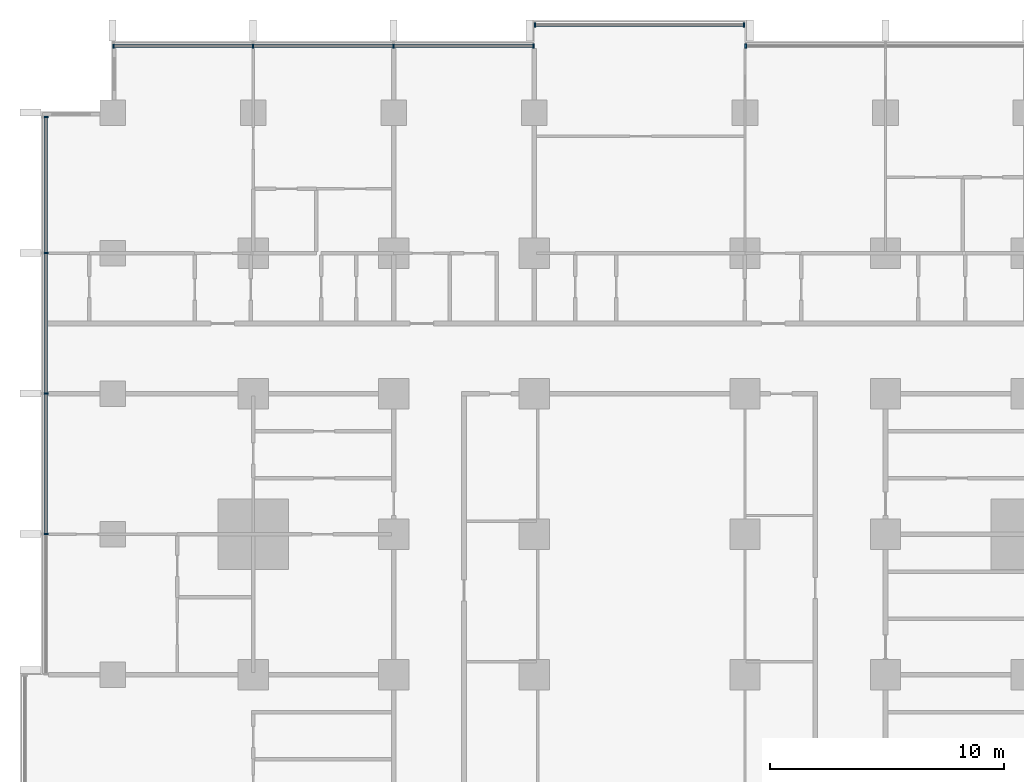
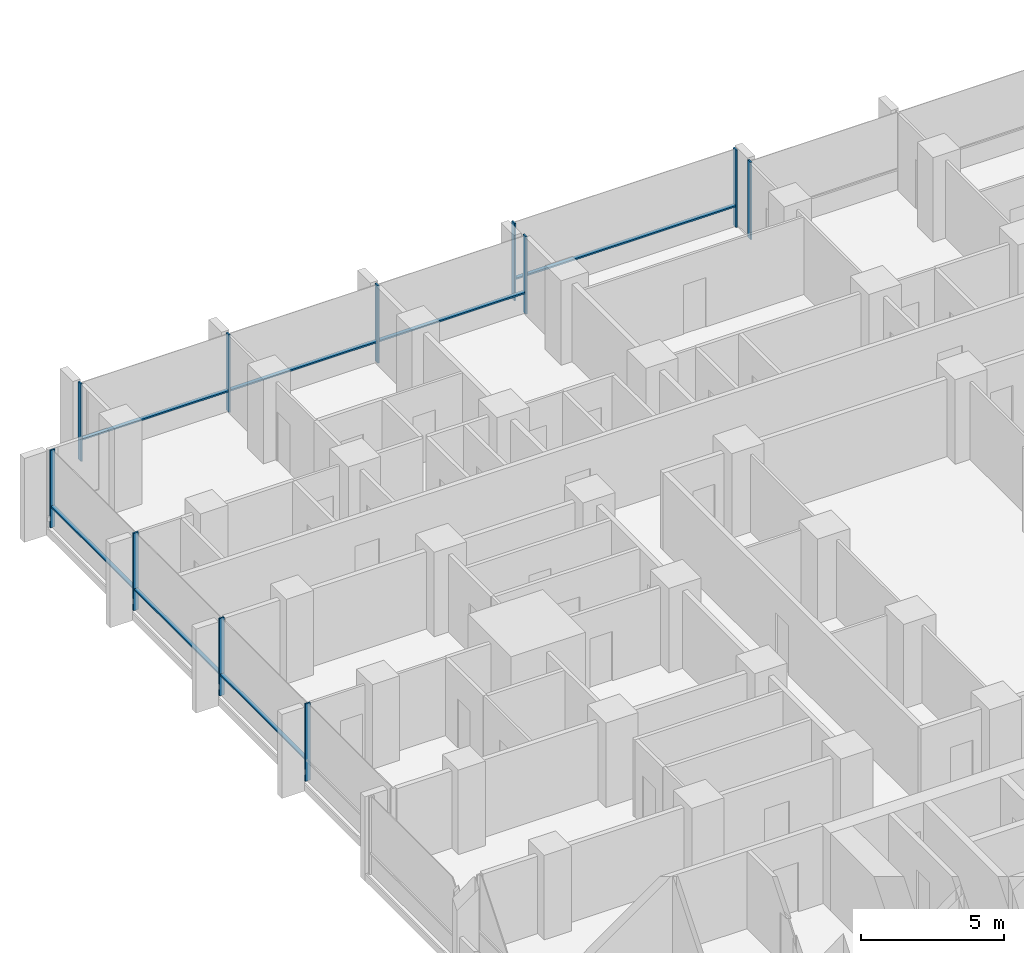
# One storey, part 4 of 18: 18 members, 4 elements without a shape of their own.
"""IFC4 building model written with IfcOpenShell, lengths in metres."""

from ifc_helpers import new_model, si_unit, direction, frame, origin, origin_2d, place, context, subcontext, project, spatial, rectangle, extrude, material, material_profile, profile_set, type_object, element, aggregate, save


model = new_model("IFC4")

# Units and contexts
model_context = context("Model", 3, precision=1e-05, world=origin(), true_north=direction((0.0, 1.0)))
body_context = subcontext(model_context, "Body", "Model", "MODEL_VIEW")
ifc_project = project(units=[si_unit("LENGTHUNIT", "METRE"), si_unit("AREAUNIT", "SQUARE_METRE"), si_unit("VOLUMEUNIT", "CUBIC_METRE"), si_unit("PLANEANGLEUNIT", "RADIAN"), si_unit("MASSUNIT", "GRAM", prefix="KILO")], contexts=[model_context])

# Site, building, storey
site_placement = place(None, origin())
site = spatial("IfcSite", under=ifc_project, at=site_placement, CompositionType="ELEMENT")
building_placement = place(site_placement, origin())
building = spatial("IfcBuilding", under=site, at=building_placement, Name="Finial Court Residences", CompositionType="ELEMENT")
storey_placement = place(building_placement, frame((0.0, 0.0, 43.300048828125)))
storey = spatial("IfcBuildingStorey", under=building, at=storey_placement, Name="L09", CompositionType="ELEMENT", Elevation=43.300048828125)

# Curtain wall, members
ifc_material = material(Name="Bronze anodised aluminium", Category="aluminium")
curtain_wall_type = type_object("IfcCurtainWallType", Name="Unitised curtain wall, lower and middle zones", PredefinedType="NOTDEFINED", material=ifc_material)
curtain_wall_1_placement = place(storey_placement, origin())
curtain_wall_1 = element("IfcCurtainWall", 1, at=curtain_wall_1_placement, inside=storey, type_object=curtain_wall_type, Name="E-L09-CW-N1", PredefinedType="NOTDEFINED")
ifc_material_profile_1 = material_profile(ifc_material, rectangle(XDim=0.199951171875, YDim=0.06494140625, at=origin_2d()), Name="CW1 mullion 65 x 200")
ifc_profile_set_1 = profile_set([ifc_material_profile_1], Name="Bronze anodised aluminium")
member_type_1 = type_object("IfcMemberType", Name="CW1 mullion 65 x 200", PredefinedType="MULLION", material=ifc_profile_set_1)
member_1_placement = place(storey_placement, frame((-22.467529296875, 28.35009765625, 0.0), z_axis=(0.0, 0.0, 1.0), x_axis=(0.0, 1.0, 0.0)))
member_1 = element("IfcMember", 2, at=member_1_placement, type_object=member_type_1, Name="CW1 mullion 1", PredefinedType="MULLION", context=body_context, shape_type="SweptSolid", body=[
    extrude(rectangle(XDim=0.199951171875, YDim=0.06494140625, at=origin_2d()), origin(), (0.0, 0.0, 1.0), 3.300048828125),
])
member_2_placement = place(storey_placement, frame((-16.5, 28.35009765625, 0.0), z_axis=(0.0, 0.0, 1.0), x_axis=(0.0, 1.0, 0.0)))
member_2 = element("IfcMember", 3, at=member_2_placement, type_object=member_type_1, Name="CW1 mullion 2", PredefinedType="MULLION", context=body_context, shape_type="SweptSolid", body=[
    extrude(rectangle(XDim=0.199951171875, YDim=0.06494140625, at=origin_2d()), origin(), (0.0, 0.0, 1.0), 3.300048828125),
])
member_3_placement = place(storey_placement, frame((-10.5, 28.35009765625, 0.0), z_axis=(0.0, 0.0, 1.0), x_axis=(0.0, 1.0, 0.0)))
member_3 = element("IfcMember", 4, at=member_3_placement, type_object=member_type_1, Name="CW1 mullion 3", PredefinedType="MULLION", context=body_context, shape_type="SweptSolid", body=[
    extrude(rectangle(XDim=0.199951171875, YDim=0.06494140625, at=origin_2d()), origin(), (0.0, 0.0, 1.0), 3.300048828125),
])
member_4_placement = place(storey_placement, frame((-4.532470703125, 28.35009765625, 0.0), z_axis=(0.0, 0.0, 1.0), x_axis=(0.0, 1.0, 0.0)))
member_4 = element("IfcMember", 5, at=member_4_placement, type_object=member_type_1, Name="CW1 mullion 4", PredefinedType="MULLION", context=body_context, shape_type="SweptSolid", body=[
    extrude(rectangle(XDim=0.199951171875, YDim=0.06494140625, at=origin_2d()), origin(), (0.0, 0.0, 1.0), 3.300048828125),
])

curtain_wall_2_placement = place(storey_placement, origin())
curtain_wall_2 = element("IfcCurtainWall", 6, at=curtain_wall_2_placement, inside=storey, type_object=curtain_wall_type, Name="E-L09-CW-N2", PredefinedType="NOTDEFINED")
member_5_placement = place(storey_placement, frame((-4.467529296875, 29.25, 0.0), z_axis=(0.0, 0.0, 1.0), x_axis=(0.0, 1.0, 0.0)))
member_5 = element("IfcMember", 7, at=member_5_placement, type_object=member_type_1, Name="CW1 mullion 1", PredefinedType="MULLION", context=body_context, shape_type="SweptSolid", body=[
    extrude(rectangle(XDim=0.199951171875, YDim=0.06494140625, at=origin_2d()), origin(), (0.0, 0.0, 1.0), 3.300048828125),
])
member_6_placement = place(storey_placement, frame((4.467529296875, 29.25, 0.0), z_axis=(0.0, 0.0, 1.0), x_axis=(0.0, 1.0, 0.0)))
member_6 = element("IfcMember", 8, at=member_6_placement, type_object=member_type_1, Name="CW1 mullion 2", PredefinedType="MULLION", context=body_context, shape_type="SweptSolid", body=[
    extrude(rectangle(XDim=0.199951171875, YDim=0.06494140625, at=origin_2d()), origin(), (0.0, 0.0, 1.0), 3.300048828125),
])

# Curtain wall, member
curtain_wall_3_placement = place(storey_placement, origin())
curtain_wall_3 = element("IfcCurtainWall", 9, at=curtain_wall_3_placement, inside=storey, type_object=curtain_wall_type, Name="E-L09-CW-N3", PredefinedType="NOTDEFINED")
member_7_placement = place(storey_placement, frame((4.532470703125, 28.35009765625, 0.0), z_axis=(0.0, 0.0, 1.0), x_axis=(0.0, 1.0, 0.0)))
member_7 = element("IfcMember", 10, at=member_7_placement, type_object=member_type_1, Name="CW1 mullion 1", PredefinedType="MULLION", context=body_context, shape_type="SweptSolid", body=[
    extrude(rectangle(XDim=0.199951171875, YDim=0.06494140625, at=origin_2d()), origin(), (0.0, 0.0, 1.0), 3.300048828125),
])
aggregate(curtain_wall_3, [member_7])

# Curtain wall, members
curtain_wall_4_placement = place(storey_placement, origin())
curtain_wall_4 = element("IfcCurtainWall", 11, at=curtain_wall_4_placement, inside=storey, type_object=curtain_wall_type, Name="E-L09-CW-W11", PredefinedType="NOTDEFINED")
member_8_placement = place(storey_placement, frame((-25.35009765625, 7.5, 0.0), z_axis=(0.0, 0.0, 1.0), x_axis=(-1.0, 0.0, 0.0)))
member_8 = element("IfcMember", 12, at=member_8_placement, type_object=member_type_1, Name="CW1 mullion 2", PredefinedType="MULLION", context=body_context, shape_type="SweptSolid", body=[
    extrude(rectangle(XDim=0.199951171875, YDim=0.06494140625, at=origin_2d()), origin(), (0.0, 0.0, 1.0), 3.300048828125),
])
member_9_placement = place(storey_placement, frame((-25.35009765625, 13.5, 0.0), z_axis=(0.0, 0.0, 1.0), x_axis=(-1.0, 0.0, 0.0)))
member_9 = element("IfcMember", 13, at=member_9_placement, type_object=member_type_1, Name="CW1 mullion 3", PredefinedType="MULLION", context=body_context, shape_type="SweptSolid", body=[
    extrude(rectangle(XDim=0.199951171875, YDim=0.06494140625, at=origin_2d()), origin(), (0.0, 0.0, 1.0), 3.300048828125),
])
member_10_placement = place(storey_placement, frame((-25.35009765625, 19.5, 0.0), z_axis=(0.0, 0.0, 1.0), x_axis=(-1.0, 0.0, 0.0)))
member_10 = element("IfcMember", 14, at=member_10_placement, type_object=member_type_1, Name="CW1 mullion 4", PredefinedType="MULLION", context=body_context, shape_type="SweptSolid", body=[
    extrude(rectangle(XDim=0.199951171875, YDim=0.06494140625, at=origin_2d()), origin(), (0.0, 0.0, 1.0), 3.300048828125),
])
member_11_placement = place(storey_placement, frame((-25.35009765625, 25.3173828125, 0.0), z_axis=(0.0, 0.0, 1.0), x_axis=(-1.0, 0.0, 0.0)))
member_11 = element("IfcMember", 15, at=member_11_placement, type_object=member_type_1, Name="CW1 mullion 5", PredefinedType="MULLION", context=body_context, shape_type="SweptSolid", body=[
    extrude(rectangle(XDim=0.199951171875, YDim=0.06494140625, at=origin_2d()), origin(), (0.0, 0.0, 1.0), 3.300048828125),
])

# Member
ifc_material_profile_2 = material_profile(ifc_material, rectangle(XDim=0.14990234375, YDim=0.06494140625, at=origin_2d()), Name="CW1 transom 65 x 150")
ifc_profile_set_2 = profile_set([ifc_material_profile_2], Name="Bronze anodised aluminium")
member_type_2 = type_object("IfcMemberType", Name="CW1 transom 65 x 150", PredefinedType="USERDEFINED", material=ifc_profile_set_2)
member_12_placement = place(storey_placement, frame((-22.43505859375, 28.35009765625, 0.89990234375), z_axis=(1.0, 0.0, 0.0), x_axis=(0.0, 1.0, 0.0)))
member_12 = element("IfcMember", 16, at=member_12_placement, type_object=member_type_2, Name="CW1 transom 1.1", ObjectType="TRANSOM", PredefinedType="USERDEFINED", context=body_context, shape_type="SweptSolid", body=[
    extrude(rectangle(XDim=0.14990234375, YDim=0.06494140625, at=origin_2d()), origin(), (0.0, 0.0, 1.0), 5.902587890625),
])

member_13_placement = place(storey_placement, frame((-16.467529296875, 28.35009765625, 0.89990234375), z_axis=(1.0, 0.0, 0.0), x_axis=(0.0, 1.0, 0.0)))
member_13 = element("IfcMember", 17, at=member_13_placement, type_object=member_type_2, Name="CW1 transom 2.1", ObjectType="TRANSOM", PredefinedType="USERDEFINED", context=body_context, shape_type="SweptSolid", body=[
    extrude(rectangle(XDim=0.14990234375, YDim=0.06494140625, at=origin_2d()), origin(), (0.0, 0.0, 1.0), 5.93505859375),
])

member_14_placement = place(storey_placement, frame((-10.467529296875, 28.35009765625, 0.89990234375), z_axis=(1.0, 0.0, 0.0), x_axis=(0.0, 1.0, 0.0)))
member_14 = element("IfcMember", 18, at=member_14_placement, type_object=member_type_2, Name="CW1 transom 3.1", ObjectType="TRANSOM", PredefinedType="USERDEFINED", context=body_context, shape_type="SweptSolid", body=[
    extrude(rectangle(XDim=0.14990234375, YDim=0.06494140625, at=origin_2d()), origin(), (0.0, 0.0, 1.0), 5.902587890625),
])

aggregate(curtain_wall_1, [member_1, member_2, member_3, member_4, member_12, member_13, member_14])

member_15_placement = place(storey_placement, frame((-4.43505859375, 29.25, 0.89990234375), z_axis=(1.0, 0.0, 0.0), x_axis=(0.0, 1.0, 0.0)))
member_15 = element("IfcMember", 19, at=member_15_placement, type_object=member_type_2, Name="CW1 transom 1.1", ObjectType="TRANSOM", PredefinedType="USERDEFINED", context=body_context, shape_type="SweptSolid", body=[
    extrude(rectangle(XDim=0.14990234375, YDim=0.06494140625, at=origin_2d()), origin(), (0.0, 0.0, 1.0), 8.8701171875),
])

aggregate(curtain_wall_2, [member_5, member_6, member_15])

member_16_placement = place(storey_placement, frame((-25.35009765625, 7.532470703125, 0.89990234375), z_axis=(0.0, 1.0, 0.0), x_axis=(-1.0, 0.0, 0.0)))
member_16 = element("IfcMember", 20, at=member_16_placement, type_object=member_type_2, Name="CW1 transom 2.1", ObjectType="TRANSOM", PredefinedType="USERDEFINED", context=body_context, shape_type="SweptSolid", body=[
    extrude(rectangle(XDim=0.14990234375, YDim=0.06494140625, at=origin_2d()), origin(), (0.0, 0.0, 1.0), 5.93505859375),
])

member_17_placement = place(storey_placement, frame((-25.35009765625, 13.532470703125, 0.89990234375), z_axis=(0.0, 1.0, 0.0), x_axis=(-1.0, 0.0, 0.0)))
member_17 = element("IfcMember", 21, at=member_17_placement, type_object=member_type_2, Name="CW1 transom 3.1", ObjectType="TRANSOM", PredefinedType="USERDEFINED", context=body_context, shape_type="SweptSolid", body=[
    extrude(rectangle(XDim=0.14990234375, YDim=0.06494140625, at=origin_2d()), origin(), (0.0, 0.0, 1.0), 5.93505859375),
])

member_18_placement = place(storey_placement, frame((-25.35009765625, 19.532470703125, 0.89990234375), z_axis=(0.0, 1.0, 0.0), x_axis=(-1.0, 0.0, 0.0)))
member_18 = element("IfcMember", 22, at=member_18_placement, type_object=member_type_2, Name="CW1 transom 4.1", ObjectType="TRANSOM", PredefinedType="USERDEFINED", context=body_context, shape_type="SweptSolid", body=[
    extrude(rectangle(XDim=0.14990234375, YDim=0.06494140625, at=origin_2d()), origin(), (0.0, 0.0, 1.0), 5.75244140625),
])

aggregate(curtain_wall_4, [member_8, member_9, member_10, member_11, member_16, member_17, member_18])

save(model, "model.ifc")
